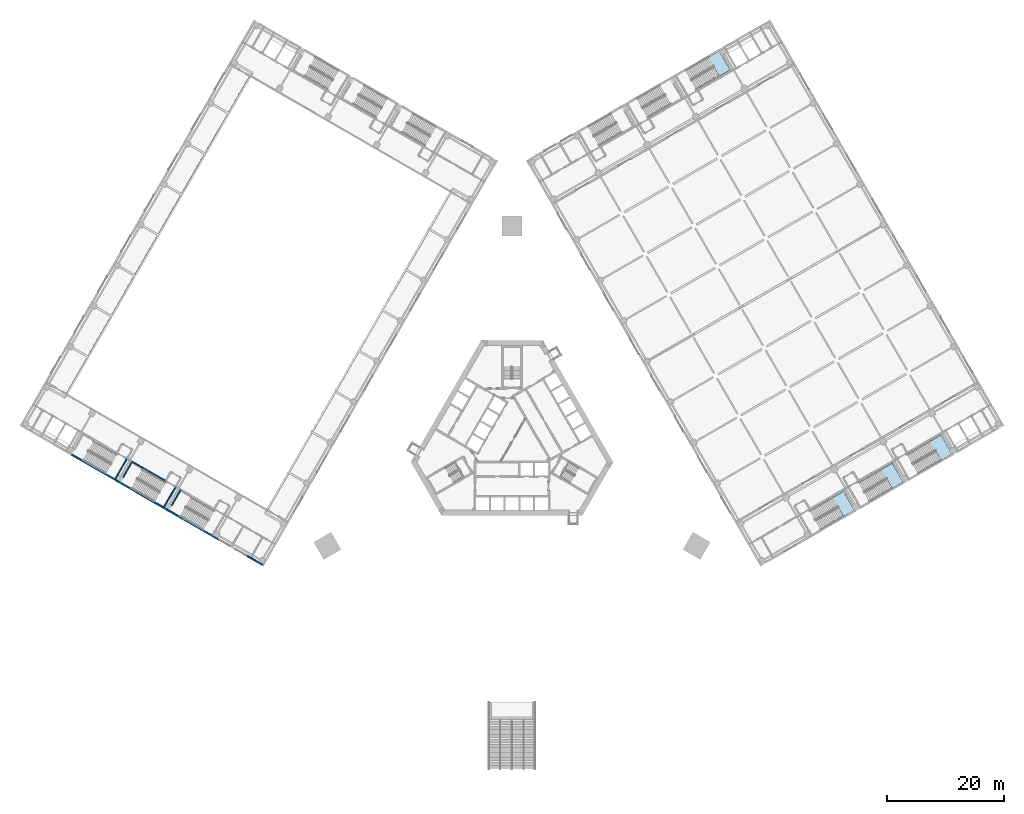
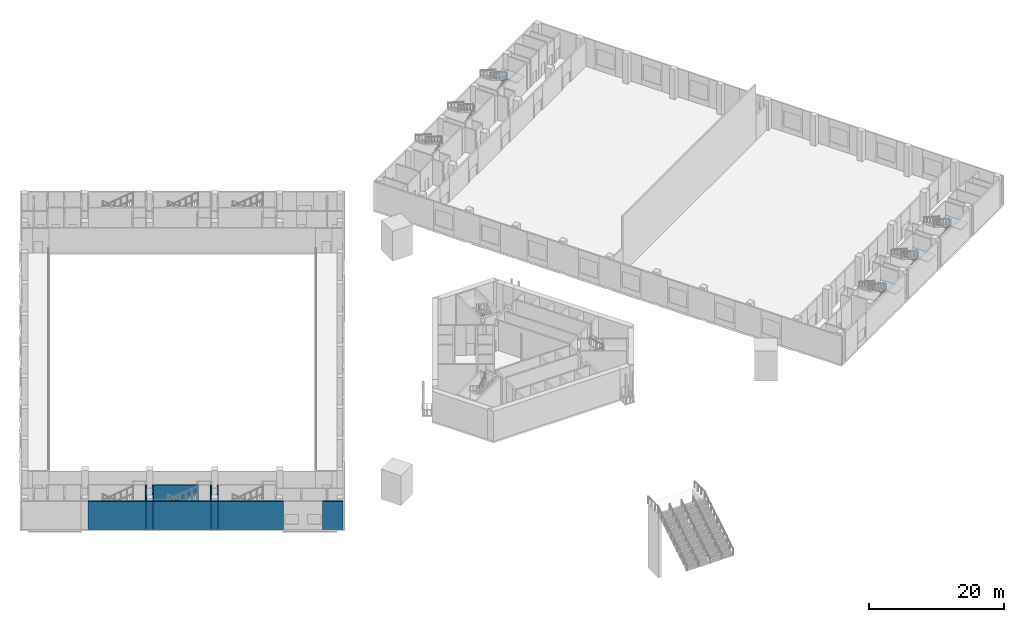
# One storey, part 8 of 35: 11 walls, 4 slabs, 4 elements without a shape of their own.
"""IFC4 building model written with IfcOpenShell, lengths in metres."""

from ifc_helpers import new_model, si_unit, direction, frame, frame_2d, origin, place, context, subcontext, project, spatial, polyline, rectangle, outline, extrude, material, layer, layer_set, type_object, element, aggregate, save


model = new_model("IFC4")

# Units and contexts
model_context = context("Model", 3, precision=1e-05, world=origin(), true_north=direction((0.0, 1.0)))
body_context = subcontext(model_context, "Body", "Model", "MODEL_VIEW")
ifc_project = project(units=[si_unit("LENGTHUNIT", "METRE"), si_unit("AREAUNIT", "SQUARE_METRE"), si_unit("VOLUMEUNIT", "CUBIC_METRE"), si_unit("PLANEANGLEUNIT", "RADIAN"), si_unit("MASSUNIT", "GRAM", prefix="KILO")], contexts=[model_context])

# Site, building, storey
site_placement = place(None, origin())
site = spatial("IfcSite", under=ifc_project, at=site_placement, CompositionType="ELEMENT")
building_placement = place(site_placement, origin())
building = spatial("IfcBuilding", under=site, at=building_placement, Name="Mestral Congress Tower", CompositionType="ELEMENT")
storey_placement = place(building_placement, frame((0.0, 0.0, 6.0)))
storey = spatial("IfcBuildingStorey", under=building, at=storey_placement, Name="L01", CompositionType="ELEMENT", Elevation=6.0)

# Stair, slab
ifc_material_1 = material(Name="Concrete C40/50", Category="concrete")
stair_type = type_object("IfcStairType", Name="Podium exit stair 1800", PredefinedType="HALF_TURN_STAIR", material=ifc_material_1)
placement_1 = place(storey_placement, origin())
stair_1 = element("IfcStair", 1, at=placement_1, inside=storey, type_object=stair_type, Name="L01 Exit stair E1", PredefinedType="HALF_TURN_STAIR")
ifc_layer_1 = layer(ifc_material_1, 0.199951171875)
ifc_layer_set_1 = layer_set([ifc_layer_1], Name="Concrete C40/50")
slab_type = type_object("IfcSlabType", Name="Podium exit stair landing 200", PredefinedType="LANDING", material=ifc_layer_set_1)
placement_2 = place(storey_placement, frame((0.0, 0.0, 2.5)))
slab_1 = element("IfcSlab", 2, at=placement_2, type_object=slab_type, Name="PS-E1 landing 1", PredefinedType="LANDING", context=body_context, shape_type="SweptSolid", body=[
    extrude(outline(polyline([(56.635986328125, -13.200439453125), (55.6611328125, -11.51171875), (55.150146484375, -11.806640625), (54.250244140625, -10.247802734375), (56.605712890625, -8.887939453125), (58.480712890625, -12.135498046875), (56.635986328125, -13.200439453125)])), origin(), (0.0, 0.0, 1.0), 0.199951171875),
])
aggregate(stair_1, [slab_1])

stair_2 = element("IfcStair", 3, at=placement_1, inside=storey, type_object=stair_type, Name="L01 Exit stair E2", PredefinedType="HALF_TURN_STAIR")
slab_2 = element("IfcSlab", 4, at=placement_2, type_object=slab_type, Name="PS-E2 landing 1", PredefinedType="LANDING", context=body_context, shape_type="SweptSolid", body=[
    extrude(outline(polyline([(64.949951171875, -8.400390625), (63.974853515625, -6.711669921875), (63.4638671875, -7.0068359375), (62.56396484375, -5.447998046875), (64.91943359375, -4.087890625), (66.79443359375, -7.33544921875), (64.949951171875, -8.400390625)])), origin(), (0.0, 0.0, 1.0), 0.199951171875),
])
aggregate(stair_2, [slab_2])

stair_3 = element("IfcStair", 5, at=placement_1, inside=storey, type_object=stair_type, Name="L01 Exit stair E3", PredefinedType="HALF_TURN_STAIR")
slab_3 = element("IfcSlab", 6, at=placement_2, type_object=slab_type, Name="PS-E3 landing 1", PredefinedType="LANDING", context=body_context, shape_type="SweptSolid", body=[
    extrude(outline(polyline([(73.263671875, -3.6005859375), (72.28857421875, -1.911865234375), (71.77783203125, -2.206787109375), (70.877685546875, -0.64794921875), (73.2333984375, 0.712158203125), (75.1083984375, -2.535400390625), (73.263671875, -3.6005859375)])), origin(), (0.0, 0.0, 1.0), 0.199951171875),
])
aggregate(stair_3, [slab_3])

stair_4 = element("IfcStair", 7, at=placement_1, inside=storey, type_object=stair_type, Name="L01 Exit stair E6", PredefinedType="HALF_TURN_STAIR")
slab_4 = element("IfcSlab", 8, at=placement_2, type_object=slab_type, Name="PS-E6 landing 1", PredefinedType="LANDING", context=body_context, shape_type="SweptSolid", body=[
    extrude(outline(polyline([(35.388671875, 62.0009765625), (34.41357421875, 63.689697265625), (33.90283203125, 63.39453125), (33.002685546875, 64.95361328125), (35.3583984375, 66.3134765625), (37.2333984375, 63.06591796875), (35.388671875, 62.0009765625)])), origin(), (0.0, 0.0, 1.0), 0.199951171875),
])
aggregate(stair_4, [slab_4])

# Walls
ifc_material_2 = material(Name="Precast concrete C40/50 with limestone facing", Category="masonry")
ifc_layer_2 = layer(ifc_material_2, 0.25)
ifc_layer_set_2 = layer_set([ifc_layer_2], Name="Precast concrete C40/50 with limestone facing")
wall_type_1 = type_object("IfcWallType", Name="Podium external wall 250", PredefinedType="SOLIDWALL", material=ifc_layer_set_2)
wall_1_placement = place(storey_placement, frame((-42.6083984375, -21.44384765625, 0.0), z_axis=(0.0, 0.0, 1.0), x_axis=(-0.866010750942, 0.50002537861, 0.0)))
element("IfcWall", 9, at=wall_1_placement, inside=storey, type_object=wall_type_1, Name="L01 external wall", PredefinedType="SOLIDWALL", context=body_context, shape_type="SweptSolid", body=[
    extrude(rectangle(XDim=2.999755859375, YDim=0.25, at=frame_2d((1.5, 0.0))), origin(), (0.0, 0.0, 1.0), 5.10009765625),
])
wall_2_placement = place(storey_placement, frame((-50.207763671875, -17.056396484375, 0.0), z_axis=(0.0, 0.0, 1.0), x_axis=(-0.866023797515, 0.500002782129, 0.0)))
element("IfcWall", 10, at=wall_2_placement, inside=storey, type_object=wall_type_1, Name="L01 external wall", PredefinedType="SOLIDWALL", context=body_context, shape_type="SweptSolid", body=[
    extrude(rectangle(XDim=9.72509765625, YDim=0.25, at=frame_2d((4.862548828125, 0.0))), origin(), (0.0, 0.0, 1.0), 5.10009765625),
])
wall_3_placement = place(storey_placement, frame((-59.495849609375, -11.69384765625, 0.0), z_axis=(0.0, 0.0, 1.0), x_axis=(-0.866021068297, 0.500007509209, 0.0)))
element("IfcWall", 11, at=wall_3_placement, inside=storey, type_object=wall_type_1, Name="L01 external wall", PredefinedType="SOLIDWALL", context=body_context, shape_type="SweptSolid", body=[
    extrude(rectangle(XDim=8.599853515625, YDim=0.25, at=frame_2d((4.2998046875, 0.0))), origin(), (0.0, 0.0, 1.0), 5.10009765625),
])
wall_4_placement = place(storey_placement, frame((-67.8095703125, -6.893798828125, 0.0), z_axis=(0.0, 0.0, 1.0), x_axis=(-0.866028165386, 0.499995216735, 0.0)))
element("IfcWall", 12, at=wall_4_placement, inside=storey, type_object=wall_type_1, Name="L01 external wall", PredefinedType="SOLIDWALL", context=body_context, shape_type="SweptSolid", body=[
    extrude(rectangle(XDim=8.60009765625, YDim=0.25, at=frame_2d((4.300048828125, 0.0))), origin(), (0.0, 0.0, 1.0), 5.10009765625),
])
for number, where, z_axis, x_axis, name in (
    (13, (-58.6298828125, -12.19384765625, 0.0), (0.0, 0.0, 1.0), (-0.866010750942, 0.50002537861, 0.0), "L01 external wall"),
    (14, (-66.943603515625, -7.393798828125, 0.0), (0.0, 0.0, 1.0), (-0.866010750942, 0.50002537861, 0.0), "L01 external wall"),
):
    element("IfcWall", number, at=place(storey_placement, frame(where, z_axis=z_axis, x_axis=x_axis)), inside=storey, type_object=wall_type_1, Name=name, PredefinedType="SOLIDWALL", context=body_context, shape_type="SweptSolid", body=[
        extrude(rectangle(XDim=1.0, YDim=0.25, at=frame_2d((0.5, 0.0))), origin(), (0.0, 0.0, 1.0), 5.10009765625),
    ])
ifc_material_3 = material(Name="Masonry block wall", Category="masonry")
ifc_layer_3 = layer(ifc_material_3, 0.199951171875)
ifc_layer_set_3 = layer_set([ifc_layer_3], Name="Masonry block wall")
wall_type_2 = type_object("IfcWallType", Name="Podium stair enclosure wall 200 EI 120 load-bearing", PredefinedType="SOLIDWALL", material=ifc_layer_set_3)
wall_5_placement = place(storey_placement, frame((-56.5673828125, -8.621337890625, 0.0), z_axis=(0.0, 0.0, 1.0), x_axis=(-0.499933790963, -0.866063626216, 0.0)))
element("IfcWall", 15, at=wall_5_placement, inside=storey, type_object=wall_type_2, Name="L01 partition", PredefinedType="SOLIDWALL", context=body_context, shape_type="SweptSolid", body=[
    extrude(rectangle(XDim=3.10009765625, YDim=0.199951171875, at=frame_2d((1.550048828125, 0.0))), origin(), (0.0, 0.0, 1.0), 5.10009765625),
])
wall_6_placement = place(storey_placement, frame((-57.433349609375, -8.121337890625, 0.0), z_axis=(0.0, 0.0, 1.0), x_axis=(-0.49999894854, -0.866026010844, 0.0)))
element("IfcWall", 16, at=wall_6_placement, inside=storey, type_object=wall_type_2, Name="L01 partition", PredefinedType="SOLIDWALL", context=body_context, shape_type="SweptSolid", body=[
    extrude(rectangle(XDim=4.0, YDim=0.199951171875, at=frame_2d((2.0, 0.0))), origin(), (0.0, 0.0, 1.0), 5.10009765625),
])
wall_7_placement = place(storey_placement, frame((-64.881103515625, -3.8212890625, 0.0), z_axis=(0.0, 0.0, 1.0), x_axis=(-0.49999285859, -0.86602952684, 0.0)))
element("IfcWall", 17, at=wall_7_placement, inside=storey, type_object=wall_type_2, Name="L01 partition", PredefinedType="SOLIDWALL", context=body_context, shape_type="SweptSolid", body=[
    extrude(rectangle(XDim=3.10009765625, YDim=0.199951171875, at=frame_2d((1.550048828125, 0.0))), origin(), (0.0, 0.0, 1.0), 5.10009765625),
])
wall_8_placement = place(storey_placement, frame((-65.7470703125, -3.3212890625, 0.0), z_axis=(0.0, 0.0, 1.0), x_axis=(-0.49999894854, -0.866026010844, 0.0)))
element("IfcWall", 18, at=wall_8_placement, inside=storey, type_object=wall_type_2, Name="L01 partition", PredefinedType="SOLIDWALL", context=body_context, shape_type="SweptSolid", body=[
    extrude(rectangle(XDim=4.0, YDim=0.199951171875, at=frame_2d((2.0, 0.0))), origin(), (0.0, 0.0, 1.0), 5.10009765625),
])
wall_9_placement = place(storey_placement, frame((-59.035400390625, -7.1962890625, 0.0), z_axis=(0.0, 0.0, 1.0), x_axis=(-0.866027239912, 0.49999681972, 0.0)))
element("IfcWall", 19, at=wall_9_placement, inside=storey, type_object=wall_type_2, Name="L01 partition", PredefinedType="SOLIDWALL", context=body_context, shape_type="SweptSolid", body=[
    extrude(rectangle(XDim=6.64990234375, YDim=0.199951171875, at=frame_2d((3.324951171875, 0.0))), origin(), (0.0, 0.0, 1.0), 5.10009765625),
])

save(model, "model.ifc")
